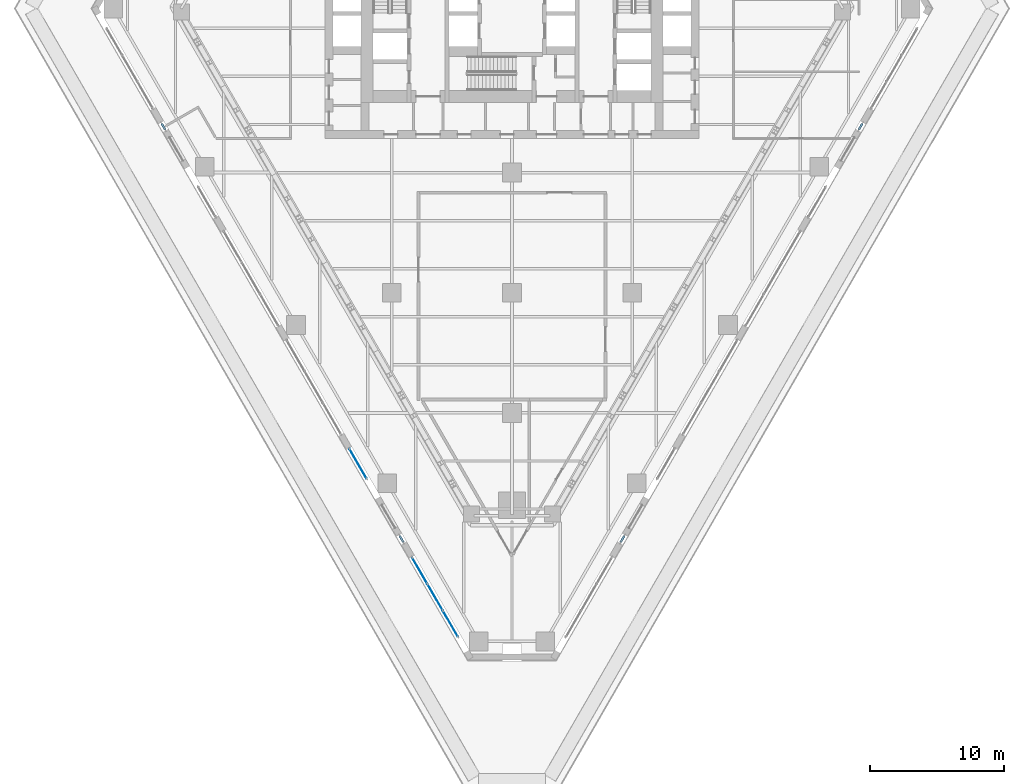
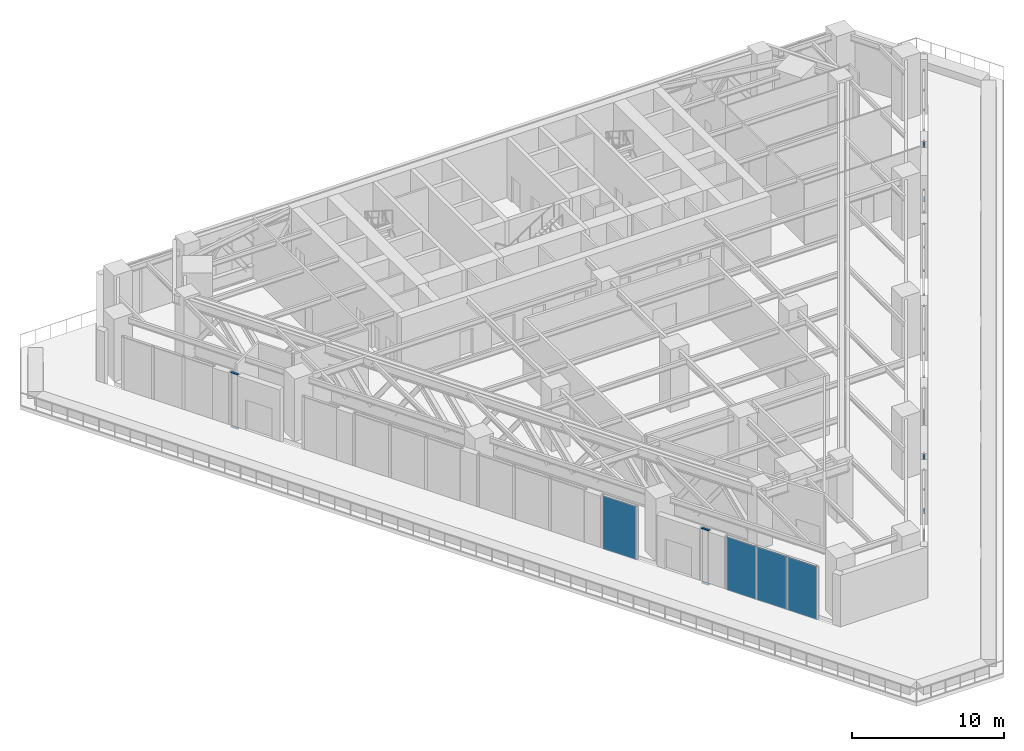
# One storey, part 11 of 25: 8 members, 4 plates, 6 elements without a shape of their own.
"""IFC4 building model written with IfcOpenShell, lengths in metres."""

from ifc_helpers import new_model, si_unit, direction, frame, origin, origin_2d, place, context, subcontext, project, spatial, rectangle, extrude, material, layer, layer_set, material_profile, profile_set, type_object, element, aggregate, save


model = new_model("IFC4")

# Units and contexts
model_context = context("Model", 3, precision=1e-05, world=origin(), true_north=direction((0.0, 1.0)))
body_context = subcontext(model_context, "Body", "Model", "MODEL_VIEW")
ifc_project = project(units=[si_unit("LENGTHUNIT", "METRE"), si_unit("AREAUNIT", "SQUARE_METRE"), si_unit("VOLUMEUNIT", "CUBIC_METRE"), si_unit("PLANEANGLEUNIT", "RADIAN"), si_unit("MASSUNIT", "GRAM", prefix="KILO")], contexts=[model_context])

# Site, building, storey
site_placement = place(None, origin())
site = spatial("IfcSite", under=ifc_project, at=site_placement, CompositionType="ELEMENT")
building_placement = place(site_placement, origin())
building = spatial("IfcBuilding", under=site, at=building_placement, Name="Aloe Facet Convention Tower", CompositionType="ELEMENT")
storey_placement = place(building_placement, frame((0.0, 0.0, 30.0)))
storey = spatial("IfcBuildingStorey", under=building, at=storey_placement, Name="L05", CompositionType="ELEMENT", Elevation=30.0)

# Curtain wall, members
ifc_material_1 = material(Name="Aluminium, anodised", Category="aluminium")
curtain_wall_type = type_object("IfcCurtainWallType", Name="EV-CW-HALL", PredefinedType="USERDEFINED", material=ifc_material_1)
curtain_wall_1_placement = place(storey_placement, origin())
curtain_wall_1 = element("IfcCurtainWall", 1, at=curtain_wall_1_placement, inside=storey, type_object=curtain_wall_type, Name="CW-L05-W04A", ObjectType="UNITISED HALL GLAZING", PredefinedType="USERDEFINED")
ifc_material_2 = material(Name="Aluminium, anodised", Category="aluminium")
ifc_material_profile = material_profile(ifc_material_2, rectangle(XDim=0.159912109375, YDim=0.06494140625, at=origin_2d()), Name="AL 160x65")
ifc_profile_set = profile_set([ifc_material_profile], Name="Aluminium, anodised")
member_type = type_object("IfcMemberType", Name="EV-TRAN-HALL", PredefinedType="USERDEFINED", material=ifc_profile_set)
member_1_placement = place(storey_placement, frame((53.74951171875, 120.687744140625, -0.267578125), z_axis=(0.499946688677, -0.866056180903, 0.0), x_axis=(0.866056180903, 0.499946688677, 0.0)))
member_1 = element("IfcMember", 2, at=member_1_placement, type_object=member_type, Name="CW-L05-W04A transom 1.1", ObjectType="TRANSOM", PredefinedType="USERDEFINED", context=body_context, shape_type="SweptSolid", body=[
    extrude(rectangle(XDim=0.159912109375, YDim=0.06494140625, at=origin_2d()), origin(), (0.0, 0.0, 1.0), 0.5654296875),
])
member_2_placement = place(storey_placement, frame((53.74951171875, 120.687744140625, 4.080078125), z_axis=(0.499946688677, -0.866056180903, 0.0), x_axis=(0.866056180903, 0.499946688677, 0.0)))
member_2 = element("IfcMember", 3, at=member_2_placement, type_object=member_type, Name="CW-L05-W04A transom 1.2", ObjectType="TRANSOM", PredefinedType="USERDEFINED", context=body_context, shape_type="SweptSolid", body=[
    extrude(rectangle(XDim=0.159912109375, YDim=0.06494140625, at=origin_2d()), origin(), (0.0, 0.0, 1.0), 0.5654296875),
])
aggregate(curtain_wall_1, [member_1, member_2])

curtain_wall_2_placement = place(storey_placement, origin())
curtain_wall_2 = element("IfcCurtainWall", 4, at=curtain_wall_2_placement, inside=storey, type_object=curtain_wall_type, Name="CW-L05-W10B", ObjectType="UNITISED HALL GLAZING", PredefinedType="USERDEFINED")
member_3_placement = place(storey_placement, frame((71.583984375, 89.797607421875, -0.267578125), z_axis=(0.499759814377, -0.866164030617, 0.0), x_axis=(0.866164030617, 0.499759814377, 0.0)))
member_3 = element("IfcMember", 5, at=member_3_placement, type_object=member_type, Name="CW-L05-W10B transom 1.1", ObjectType="TRANSOM", PredefinedType="USERDEFINED", context=body_context, shape_type="SweptSolid", body=[
    extrude(rectangle(XDim=0.159912109375, YDim=0.06494140625, at=origin_2d()), origin(), (0.0, 0.0, 1.0), 0.565673828125),
])
member_4_placement = place(storey_placement, frame((71.583984375, 89.797607421875, 4.080078125), z_axis=(0.499759814377, -0.866164030617, 0.0), x_axis=(0.866164030617, 0.499759814377, 0.0)))
member_4 = element("IfcMember", 6, at=member_4_placement, type_object=member_type, Name="CW-L05-W10B transom 1.2", ObjectType="TRANSOM", PredefinedType="USERDEFINED", context=body_context, shape_type="SweptSolid", body=[
    extrude(rectangle(XDim=0.159912109375, YDim=0.06494140625, at=origin_2d()), origin(), (0.0, 0.0, 1.0), 0.565673828125),
])
aggregate(curtain_wall_2, [member_3, member_4])

curtain_wall_3_placement = place(storey_placement, origin())
curtain_wall_3 = element("IfcCurtainWall", 7, at=curtain_wall_3_placement, inside=storey, type_object=curtain_wall_type, Name="CW-L05-E04A", ObjectType="UNITISED HALL GLAZING", PredefinedType="USERDEFINED")
member_5_placement = place(storey_placement, frame((88.13330078125, 89.3076171875, -0.267578125), z_axis=(0.499759814377, 0.866164030617, 0.0), x_axis=(-0.866164030617, 0.499759814377, 0.0)))
member_5 = element("IfcMember", 8, at=member_5_placement, type_object=member_type, Name="CW-L05-E04A transom 1.1", ObjectType="TRANSOM", PredefinedType="USERDEFINED", context=body_context, shape_type="SweptSolid", body=[
    extrude(rectangle(XDim=0.159912109375, YDim=0.06494140625, at=origin_2d()), origin(), (0.0, 0.0, 1.0), 0.565673828125),
])
member_6_placement = place(storey_placement, frame((88.13330078125, 89.3076171875, 4.080078125), z_axis=(0.499759814377, 0.866164030617, 0.0), x_axis=(-0.866164030617, 0.499759814377, 0.0)))
member_6 = element("IfcMember", 9, at=member_6_placement, type_object=member_type, Name="CW-L05-E04A transom 1.2", ObjectType="TRANSOM", PredefinedType="USERDEFINED", context=body_context, shape_type="SweptSolid", body=[
    extrude(rectangle(XDim=0.159912109375, YDim=0.06494140625, at=origin_2d()), origin(), (0.0, 0.0, 1.0), 0.565673828125),
])
aggregate(curtain_wall_3, [member_5, member_6])

curtain_wall_4_placement = place(storey_placement, origin())
curtain_wall_4 = element("IfcCurtainWall", 10, at=curtain_wall_4_placement, inside=storey, type_object=curtain_wall_type, Name="CW-L05-E10B", ObjectType="UNITISED HALL GLAZING", PredefinedType="USERDEFINED")
member_7_placement = place(storey_placement, frame((105.9677734375, 120.197998046875, -0.267578125), z_axis=(0.499946688677, 0.866056180903, 0.0), x_axis=(-0.866056180903, 0.499946688677, 0.0)))
member_7 = element("IfcMember", 11, at=member_7_placement, type_object=member_type, Name="CW-L05-E10B transom 1.1", ObjectType="TRANSOM", PredefinedType="USERDEFINED", context=body_context, shape_type="SweptSolid", body=[
    extrude(rectangle(XDim=0.159912109375, YDim=0.06494140625, at=origin_2d()), origin(), (0.0, 0.0, 1.0), 0.5654296875),
])
member_8_placement = place(storey_placement, frame((105.9677734375, 120.197998046875, 4.080078125), z_axis=(0.499946688677, 0.866056180903, 0.0), x_axis=(-0.866056180903, 0.499946688677, 0.0)))
member_8 = element("IfcMember", 12, at=member_8_placement, type_object=member_type, Name="CW-L05-E10B transom 1.2", ObjectType="TRANSOM", PredefinedType="USERDEFINED", context=body_context, shape_type="SweptSolid", body=[
    extrude(rectangle(XDim=0.159912109375, YDim=0.06494140625, at=origin_2d()), origin(), (0.0, 0.0, 1.0), 0.5654296875),
])
aggregate(curtain_wall_4, [member_7, member_8])

# Curtain wall, plate
curtain_wall_5_placement = place(storey_placement, origin())
curtain_wall_5 = element("IfcCurtainWall", 13, at=curtain_wall_5_placement, inside=storey, type_object=curtain_wall_type, Name="CW-L05-W10A", ObjectType="UNITISED HALL GLAZING", PredefinedType="USERDEFINED")
ifc_material_3 = material(Name="Clear double glazing", Category="glass")
ifc_layer = layer(ifc_material_3, 0.035888671875)
ifc_layer_set = layer_set([ifc_layer], Name="EV-PANEL-HALL")
plate_type = type_object("IfcPlateType", Name="EV-PANEL-HALL", PredefinedType="CURTAIN_PANEL", material=ifc_layer_set)
plate_1_placement = place(storey_placement, frame((68.470458984375, 95.1904296875, -0.23486328125), z_axis=(0.0, 0.0, 1.0), x_axis=(0.499999999879, -0.866025403854, 0.0)))
plate_1 = element("IfcPlate", 14, at=plate_1_placement, type_object=plate_type, Name="CW-L05-W10A panel 1.1", PredefinedType="CURTAIN_PANEL", context=body_context, shape_type="SweptSolid", body=[
    extrude(rectangle(XDim=2.53662109375, YDim=0.035888671875, at=origin_2d()), origin(), (0.0, 0.0, 1.0), 4.282470703125),
])
aggregate(curtain_wall_5, [plate_1])

# Curtain wall, plates
curtain_wall_6_placement = place(storey_placement, origin())
curtain_wall_6 = element("IfcCurtainWall", 15, at=curtain_wall_6_placement, inside=storey, type_object=curtain_wall_type, Name="CW-L05-W12", ObjectType="UNITISED HALL GLAZING", PredefinedType="USERDEFINED")
plate_2_placement = place(storey_placement, frame((73.087158203125, 87.19384765625, -0.23486328125), z_axis=(0.0, 0.0, 1.0), x_axis=(0.500000000015, -0.866025403776, 0.0)))
plate_2 = element("IfcPlate", 16, at=plate_2_placement, type_object=plate_type, Name="CW-L05-W12 panel 1.1", PredefinedType="CURTAIN_PANEL", context=body_context, shape_type="SweptSolid", body=[
    extrude(rectangle(XDim=2.221923828125, YDim=0.035888671875, at=origin_2d()), origin(), (0.0, 0.0, 1.0), 4.282470703125),
])
plate_3_placement = place(storey_placement, frame((74.23876953125, 85.198974609375, -0.23486328125), z_axis=(0.0, 0.0, 1.0), x_axis=(0.500000000015, -0.866025403776, 0.0)))
plate_3 = element("IfcPlate", 17, at=plate_3_placement, type_object=plate_type, Name="CW-L05-W12 panel 2.1", PredefinedType="CURTAIN_PANEL", context=body_context, shape_type="SweptSolid", body=[
    extrude(rectangle(XDim=2.25439453125, YDim=0.035888671875, at=origin_2d()), origin(), (0.0, 0.0, 1.0), 4.282470703125),
])
plate_4_placement = place(storey_placement, frame((75.390625, 83.204345703125, -0.23486328125), z_axis=(0.0, 0.0, 1.0), x_axis=(0.500000000015, -0.866025403776, 0.0)))
plate_4 = element("IfcPlate", 18, at=plate_4_placement, type_object=plate_type, Name="CW-L05-W12 panel 3.1", PredefinedType="CURTAIN_PANEL", context=body_context, shape_type="SweptSolid", body=[
    extrude(rectangle(XDim=2.221923828125, YDim=0.035888671875, at=origin_2d()), origin(), (0.0, 0.0, 1.0), 4.282470703125),
])
aggregate(curtain_wall_6, [plate_2, plate_3, plate_4])

save(model, "model.ifc")
